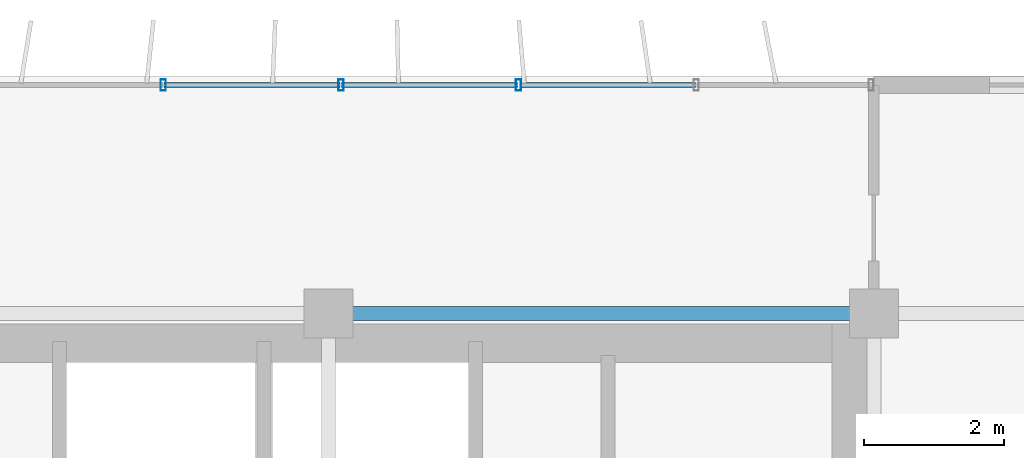
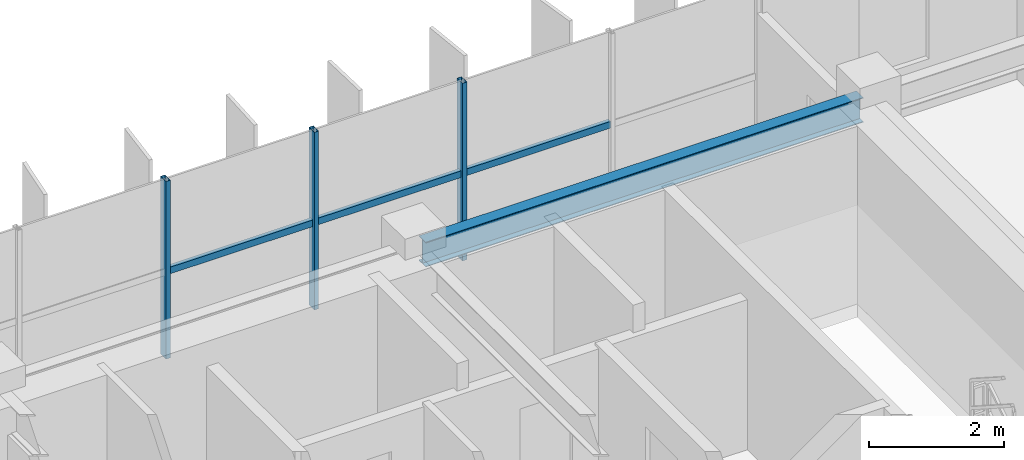
# One storey, part 25 of 37: 6 members, 1 beam, 1 element without a shape of its own.
"""IFC4 building model written with IfcOpenShell, lengths in metres."""

from ifc_helpers import new_model, si_unit, direction, frame, origin, origin_2d, place, context, subcontext, project, spatial, hollow_rectangle, i_section, extrude, source, transform, mapped, material, material_profile, profile_set, type_object, element, aggregate, save


model = new_model("IFC4")

# Units and contexts
model_context = context("Model", 3, precision=1e-05, world=origin(), true_north=direction((0.0, 1.0)))
body_context = subcontext(model_context, "Body", "Model", "MODEL_VIEW")
ifc_project = project(units=[si_unit("LENGTHUNIT", "METRE"), si_unit("AREAUNIT", "SQUARE_METRE"), si_unit("VOLUMEUNIT", "CUBIC_METRE"), si_unit("PLANEANGLEUNIT", "RADIAN"), si_unit("MASSUNIT", "GRAM", prefix="KILO")], contexts=[model_context])

# Site, building, storey
site_placement = place(None, origin())
site = spatial("IfcSite", under=ifc_project, at=site_placement, CompositionType="ELEMENT")
building_placement = place(site_placement, origin())
building = spatial("IfcBuilding", under=site, at=building_placement, Name="Trelvane Seafront Commons", CompositionType="ELEMENT")
storey_placement = place(building_placement, frame((0.0, 0.0, 201.300048828125)))
storey = spatial("IfcBuildingStorey", under=building, at=storey_placement, Name="L52", CompositionType="ELEMENT", Elevation=201.300048828125)

# Beam
ifc_material_1 = material(Name="Steel SM355 (S355)", Category="steel")
ifc_material_profile_1 = material_profile(ifc_material_1, i_section(OverallWidth=0.199951171875, OverallDepth=0.449951171875, WebThickness=0.009033203125, FlangeThickness=0.013916015625, at=origin_2d()), Name="H-450x200x9x14")
ifc_profile_set_1 = profile_set([ifc_material_profile_1], Name="Steel SM355 (S355)")
beam_type = type_object("IfcBeamType", Name="STR-SPD-H450", PredefinedType="SPANDREL", material=ifc_profile_set_1)
shared_shape_1 = source(origin(), body_context, "Body", "SweptSolid", [
    extrude(i_section(OverallWidth=0.199951171875, OverallDepth=0.449951171875, WebThickness=0.009033203125, FlangeThickness=0.013916015625, at=origin_2d()), origin(), (0.0, 0.0, 1.0), 7.5),
])
beam_placement = place(storey_placement, frame((51.14990234375, 45.10009765625, 2.994873046875), z_axis=(1.0, 0.0, 0.0), x_axis=(0.0, 1.0, 0.0)))
element("IfcBeam", 1, at=beam_placement, inside=storey, type_object=beam_type, Name="L52 Primary Girder G-27", PredefinedType="SPANDREL", context=body_context, shape_type="MappedRepresentation", body=[
    mapped(shared_shape_1, transform((0.0, 0.0, 0.0), x_axis=(1.0, 0.0, 0.0), y_axis=(0.0, 1.0, 0.0), z_axis=(0.0, 0.0, 1.0), scale=1.0)),
])

# Curtain wall, members
ifc_material_2 = material(Name="Anodised pale-silver aluminium", Category="aluminium")
curtain_wall_type = type_object("IfcCurtainWallType", Name="ARCH-CW5-UPTOWER", PredefinedType="NOTDEFINED", material=ifc_material_2)
curtain_wall_placement = place(storey_placement, origin())
curtain_wall = element("IfcCurtainWall", 2, at=curtain_wall_placement, inside=storey, type_object=curtain_wall_type, Name="CW-L52-0090", PredefinedType="NOTDEFINED")
ifc_material_profile_2 = material_profile(ifc_material_2, hollow_rectangle(XDim=0.070068359375, YDim=0.1201171875, WallThickness=0.00390625, at=origin_2d()), Name="TRAN-70x120x4")
ifc_profile_set_2 = profile_set([ifc_material_profile_2], Name="Anodised pale-silver aluminium")
member_type_1 = type_object("IfcMemberType", Name="ARCH-CW-TRAN-120", PredefinedType="USERDEFINED", material=ifc_profile_set_2)
shared_shape_2 = source(origin(), body_context, "Body", "SweptSolid", [
    extrude(hollow_rectangle(XDim=0.070068359375, YDim=0.1201171875, WallThickness=0.00390625, at=origin_2d()), origin(), (0.0, 0.0, 1.0), 2.51708984375),
])
member_1_placement = place(storey_placement, frame((51.1884765625, 48.3701171875, 1.5458984375), z_axis=(1.0, 0.0, 0.0), x_axis=(0.0, 1.0, 0.0)))
member_1 = element("IfcMember", 3, at=member_1_placement, type_object=member_type_1, Name="CW-L52-0090-T14", ObjectType="TRANSOM", PredefinedType="USERDEFINED", context=body_context, shape_type="MappedRepresentation", body=[
    mapped(shared_shape_2, transform((0.0, 0.0, 0.0), x_axis=(1.0, 0.0, 0.0), y_axis=(0.0, 1.0, 0.0), z_axis=(0.0, 0.0, 1.0), scale=1.0)),
])
shared_shape_3 = source(origin(), body_context, "Body", "SweptSolid", [
    extrude(hollow_rectangle(XDim=0.070068359375, YDim=0.1201171875, WallThickness=0.00390625, at=origin_2d()), origin(), (0.0, 0.0, 1.0), 2.517333984375),
])
member_2_placement = place(storey_placement, frame((48.647216796875, 48.3701171875, 1.5458984375), z_axis=(1.0, 0.0, 0.0), x_axis=(0.0, 1.0, 0.0)))
member_2 = element("IfcMember", 4, at=member_2_placement, type_object=member_type_1, Name="CW-L52-0090-T13", ObjectType="TRANSOM", PredefinedType="USERDEFINED", context=body_context, shape_type="MappedRepresentation", body=[
    mapped(shared_shape_3, transform((0.0, 0.0, 0.0), x_axis=(1.0, 0.0, 0.0), y_axis=(0.0, 1.0, 0.0), z_axis=(0.0, 0.0, 1.0), scale=1.0)),
])
member_3_placement = place(storey_placement, frame((53.7294921875, 48.3701171875, 1.5458984375), z_axis=(1.0, 0.0, 0.0), x_axis=(0.0, 1.0, 0.0)))
member_3 = element("IfcMember", 5, at=member_3_placement, type_object=member_type_1, Name="CW-L52-0090-T15", ObjectType="TRANSOM", PredefinedType="USERDEFINED", context=body_context, shape_type="MappedRepresentation", body=[
    mapped(shared_shape_3, transform((0.0, 0.0, 0.0), x_axis=(1.0, 0.0, 0.0), y_axis=(0.0, 1.0, 0.0), z_axis=(0.0, 0.0, 1.0), scale=1.0)),
])
ifc_material_profile_3 = material_profile(ifc_material_2, hollow_rectangle(XDim=0.074951171875, YDim=0.159912109375, WallThickness=0.00390625, at=origin_2d()), Name="MULL-75x160x4")
ifc_profile_set_3 = profile_set([ifc_material_profile_3], Name="Anodised pale-silver aluminium")
member_type_2 = type_object("IfcMemberType", Name="ARCH-CW-MULL-160", PredefinedType="MULLION", material=ifc_profile_set_3)
shared_shape_4 = source(origin(), body_context, "Body", "SweptSolid", [
    extrude(hollow_rectangle(XDim=0.074951171875, YDim=0.159912109375, WallThickness=0.00390625, at=origin_2d()), origin(), (0.0, 0.0, 1.0), 3.219970703125),
])
member_4_placement = place(storey_placement, frame((48.63525390625, 48.3701171875, 0.0), z_axis=(0.0, 0.0, 1.0), x_axis=(1.0, 0.0, 0.0)))
member_4 = element("IfcMember", 6, at=member_4_placement, type_object=member_type_2, Name="CW-L52-0090-M13", PredefinedType="MULLION", context=body_context, shape_type="MappedRepresentation", body=[
    mapped(shared_shape_4, transform((0.0, 0.0, 0.0), x_axis=(1.0, 0.0, 0.0), y_axis=(0.0, 1.0, 0.0), z_axis=(0.0, 0.0, 1.0), scale=1.0)),
])
member_5_placement = place(storey_placement, frame((51.176513671875, 48.3701171875, 0.0), z_axis=(0.0, 0.0, 1.0), x_axis=(1.0, 0.0, 0.0)))
member_5 = element("IfcMember", 7, at=member_5_placement, type_object=member_type_2, Name="CW-L52-0090-M14", PredefinedType="MULLION", context=body_context, shape_type="MappedRepresentation", body=[
    mapped(shared_shape_4, transform((0.0, 0.0, 0.0), x_axis=(1.0, 0.0, 0.0), y_axis=(0.0, 1.0, 0.0), z_axis=(0.0, 0.0, 1.0), scale=1.0)),
])
member_6_placement = place(storey_placement, frame((53.717529296875, 48.3701171875, 0.0), z_axis=(0.0, 0.0, 1.0), x_axis=(1.0, 0.0, 0.0)))
member_6 = element("IfcMember", 8, at=member_6_placement, type_object=member_type_2, Name="CW-L52-0090-M15", PredefinedType="MULLION", context=body_context, shape_type="MappedRepresentation", body=[
    mapped(shared_shape_4, transform((0.0, 0.0, 0.0), x_axis=(1.0, 0.0, 0.0), y_axis=(0.0, 1.0, 0.0), z_axis=(0.0, 0.0, 1.0), scale=1.0)),
])
aggregate(curtain_wall, [member_4, member_5, member_6, member_2, member_1, member_3])

save(model, "model.ifc")
